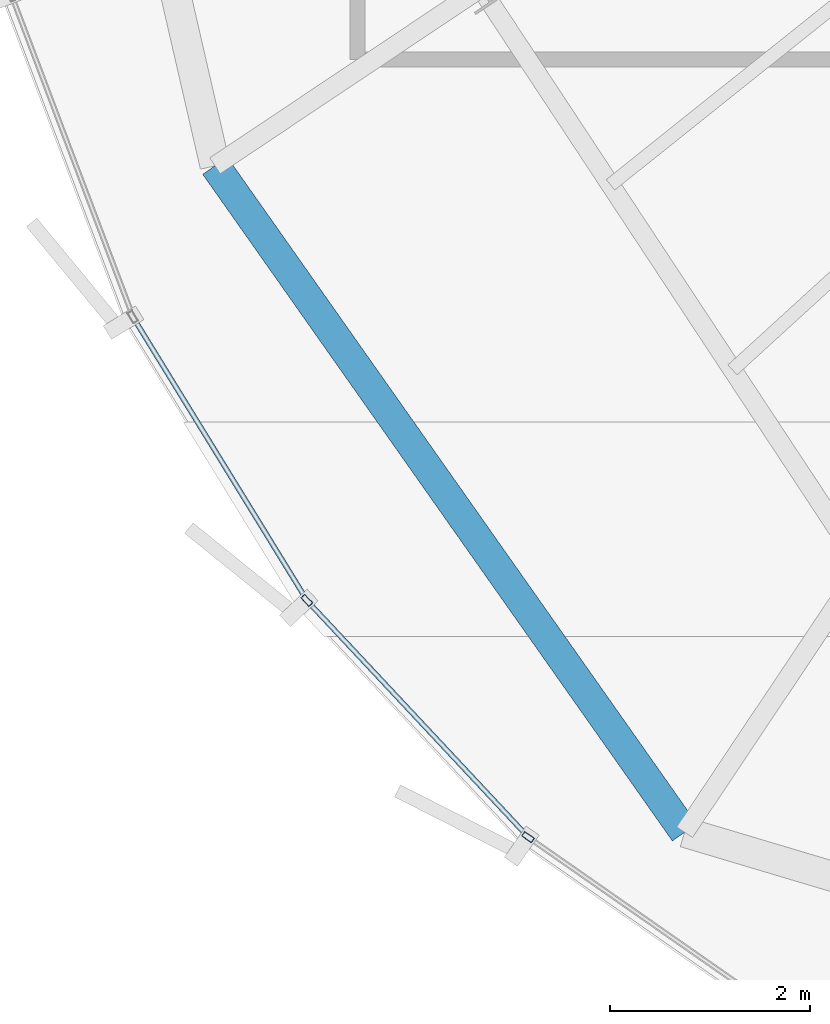
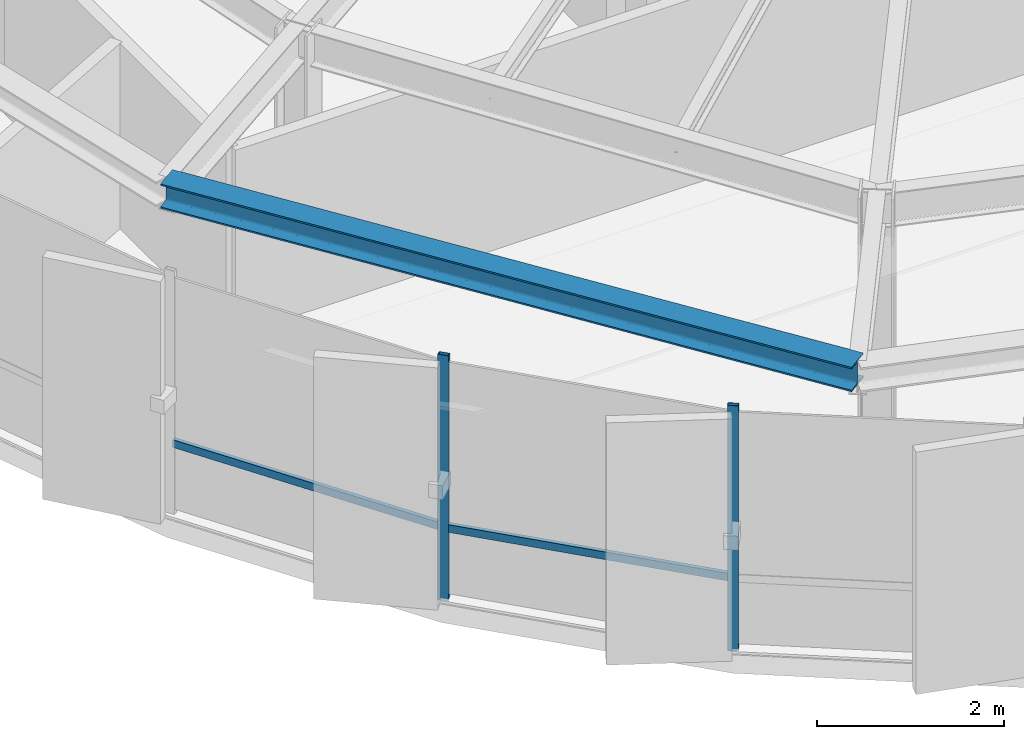
# One storey, part 2 of 32: 4 members, 1 beam, 1 element without a shape of its own.
"""IFC4 building model written with IfcOpenShell, lengths in metres."""

from ifc_helpers import new_model, si_unit, direction, frame, origin, origin_2d, place, context, subcontext, project, spatial, hollow_rectangle, i_section, extrude, source, transform, mapped, material, layer, layer_set, material_profile, profile_set, type_object, element, aggregate, save


model = new_model("IFC4")

# Units and contexts
model_context = context("Model", 3, precision=1e-05, world=origin(), true_north=direction((0.0, 1.0)))
body_context = subcontext(model_context, "Body", "Model", "MODEL_VIEW")
ifc_project = project(units=[si_unit("LENGTHUNIT", "METRE"), si_unit("AREAUNIT", "SQUARE_METRE"), si_unit("VOLUMEUNIT", "CUBIC_METRE"), si_unit("PLANEANGLEUNIT", "RADIAN"), si_unit("MASSUNIT", "GRAM", prefix="KILO"), si_unit("THERMODYNAMICTEMPERATUREUNIT", "KELVIN")], contexts=[model_context])

# Site, building, storey
site_placement = place(None, origin())
site = spatial("IfcSite", under=ifc_project, at=site_placement, CompositionType="ELEMENT")
building_placement = place(site_placement, origin())
building = spatial("IfcBuilding", under=site, at=building_placement, Name="Kethvar Cultural Tower", CompositionType="ELEMENT")
storey_placement = place(building_placement, frame((0.0, 0.0, 280.14990234375)))
storey = spatial("IfcBuildingStorey", under=building, at=storey_placement, Name="L74", CompositionType="ELEMENT", Elevation=280.14990234375)

# Beam
ifc_material_1 = material(Name="Steel S355J2", Category="steel")
ifc_material_profile_1 = material_profile(ifc_material_1, i_section(OverallWidth=0.300048828125, OverallDepth=0.320068359375, WebThickness=0.011474609375, FlangeThickness=0.0205078125, FilletRadius=0.027099609375, at=origin_2d()), Name="Steel S355J2 — HEB320")
ifc_profile_set_1 = profile_set([ifc_material_profile_1], Name="Steel S355J2 — HEB320")
beam_type = type_object("IfcBeamType", Name="BM-SP320", PredefinedType="SPANDREL", material=ifc_profile_set_1)
shared_shape_1 = source(origin(), body_context, "Body", "SweptSolid", [
    extrude(i_section(OverallWidth=0.300048828125, OverallDepth=0.320068359375, WebThickness=0.011474609375, FlangeThickness=0.0205078125, FilletRadius=0.027099609375, at=origin_2d()), origin(), (0.0, 0.0, 1.0), 8.16259765625),
])
beam_placement = place(storey_placement, frame((30.252197265625, 16.7431640625, 3.048095703125), z_axis=(0.575940812748, -0.817491394579, 0.0), x_axis=(0.817491394579, 0.575940812748, 0.0)))
element("IfcBeam", 1, at=beam_placement, inside=storey, type_object=beam_type, Name="L74 Perimeter Spandrel Beam SP-10", PredefinedType="SPANDREL", context=body_context, shape_type="MappedRepresentation", body=[
    mapped(shared_shape_1, transform((0.0, 0.0, 0.0), scale=1.0)),
])

# Curtain wall, members
ifc_material_2 = material(Name="Aluminium 6063-T6", Category="aluminium")
ifc_layer = layer(ifc_material_2, 0.179931640625, Name="Aluminium 6063-T6", Category="aluminium")
ifc_layer_set = layer_set([ifc_layer], Name="Aluminium 6063-T6 (180 mm)")
curtain_wall_type = type_object("IfcCurtainWallType", Name="CW-SYS-05-Z56", PredefinedType="NOTDEFINED", material=ifc_layer_set)
curtain_wall_placement = place(storey_placement, origin())
curtain_wall = element("IfcCurtainWall", 2, at=curtain_wall_placement, inside=storey, type_object=curtain_wall_type, Name="L74 Curtain Wall Run 03", PredefinedType="NOTDEFINED")
ifc_material_profile_2 = material_profile(ifc_material_2, hollow_rectangle(XDim=0.054931640625, YDim=0.1201171875, WallThickness=0.00390625, at=origin_2d()), Name="Aluminium 6063-T6 — RHS120x55x4")
ifc_profile_set_2 = profile_set([ifc_material_profile_2], Name="Aluminium 6063-T6 — RHS120x55x4")
member_type_1 = type_object("IfcMemberType", Name="CW-SYS-05-Z56-MUL", PredefinedType="MULLION", material=ifc_profile_set_2)
shared_shape_2 = source(origin(), body_context, "Body", "SweptSolid", [
    extrude(hollow_rectangle(XDim=0.054931640625, YDim=0.1201171875, WallThickness=0.00390625, at=origin_2d()), origin(), (0.0, 0.0, 1.0), 3.210205078125),
])
member_1_placement = place(storey_placement, frame((31.171142578125, 12.3916015625, 0.0), z_axis=(0.0, 0.0, 1.0), x_axis=(0.730162276621, 0.683273773681, 0.0)))
member_1 = element("IfcMember", 3, at=member_1_placement, type_object=member_type_1, Name="CW-L74-R03 Mullion 5", PredefinedType="MULLION", context=body_context, shape_type="MappedRepresentation", body=[
    mapped(shared_shape_2, transform((0.0, 0.0, 0.0), scale=1.0)),
])
member_2_placement = place(storey_placement, frame((33.385986328125, 10.021484375, 0.0), z_axis=(0.0, 0.0, 1.0), x_axis=(0.572017037232, 0.820241738219, 0.0)))
member_2 = element("IfcMember", 4, at=member_2_placement, type_object=member_type_1, Name="CW-L74-R03 Mullion 6", PredefinedType="MULLION", context=body_context, shape_type="MappedRepresentation", body=[
    mapped(shared_shape_2, transform((0.0, 0.0, 0.0), scale=1.0)),
])
ifc_material_profile_3 = material_profile(ifc_material_2, hollow_rectangle(XDim=0.050048828125, YDim=0.10009765625, WallThickness=0.00390625, at=origin_2d()), Name="Aluminium 6063-T6 — RHS100x50x4")
ifc_profile_set_3 = profile_set([ifc_material_profile_3], Name="Aluminium 6063-T6 — RHS100x50x4")
member_type_2 = type_object("IfcMemberType", Name="CW-SYS-05-Z56-TRN", PredefinedType="USERDEFINED", material=ifc_profile_set_3)
shared_shape_3 = source(origin(), body_context, "Body", "SweptSolid", [
    extrude(hollow_rectangle(XDim=0.050048828125, YDim=0.10009765625, WallThickness=0.00390625, at=origin_2d()), origin(), (0.0, 0.0, 1.0), 3.2705078125),
])
member_3_placement = place(storey_placement, frame((29.450439453125, 15.196044921875, 0.9501953125), z_axis=(0.523501720751, -0.852024617233, 0.0), x_axis=(0.852024617233, 0.523501720751, 0.0)))
member_3 = element("IfcMember", 5, at=member_3_placement, type_object=member_type_2, Name="CW-L74-R03 Transom 4", ObjectType="TRANSOM", PredefinedType="USERDEFINED", context=body_context, shape_type="MappedRepresentation", body=[
    mapped(shared_shape_3, transform((0.0, 0.0, 0.0), scale=1.0)),
])
shared_shape_4 = source(origin(), body_context, "Body", "SweptSolid", [
    extrude(hollow_rectangle(XDim=0.050048828125, YDim=0.10009765625, WallThickness=0.00390625, at=origin_2d()), origin(), (0.0, 0.0, 1.0), 3.185791015625),
])
member_4_placement = place(storey_placement, frame((31.1982421875, 12.36279296875, 0.9501953125), z_axis=(0.683267861586, -0.730167809016, 0.0), x_axis=(0.730167809016, 0.683267861586, 0.0)))
member_4 = element("IfcMember", 6, at=member_4_placement, type_object=member_type_2, Name="CW-L74-R03 Transom 5", ObjectType="TRANSOM", PredefinedType="USERDEFINED", context=body_context, shape_type="MappedRepresentation", body=[
    mapped(shared_shape_4, transform((0.0, 0.0, 0.0), scale=1.0)),
])
aggregate(curtain_wall, [member_1, member_2, member_3, member_4])

save(model, "model.ifc")
